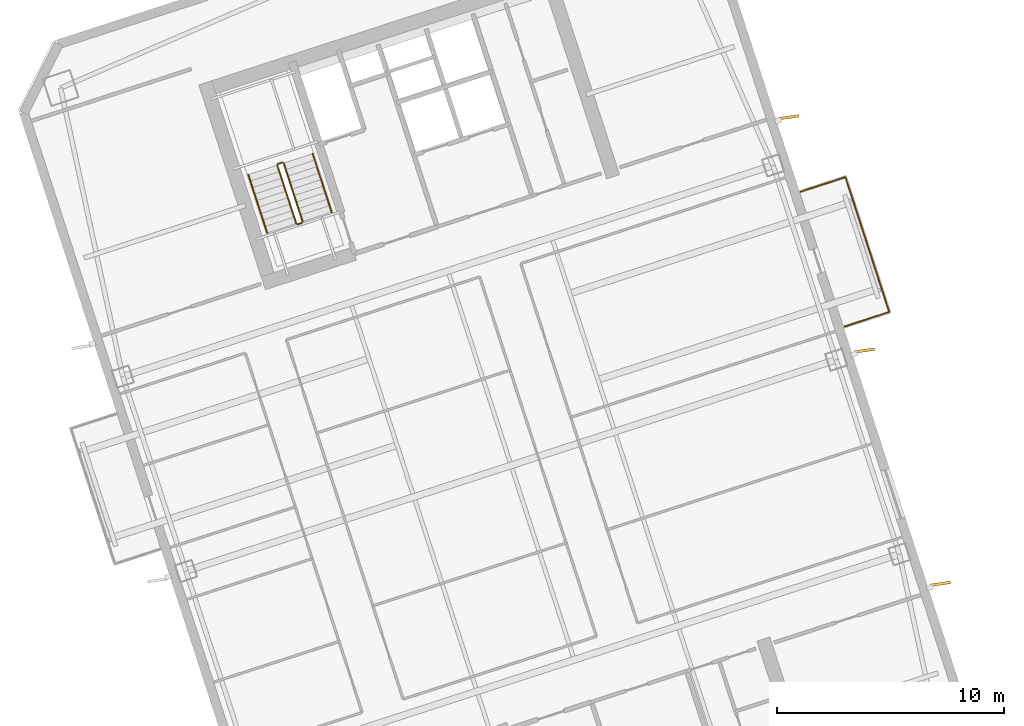
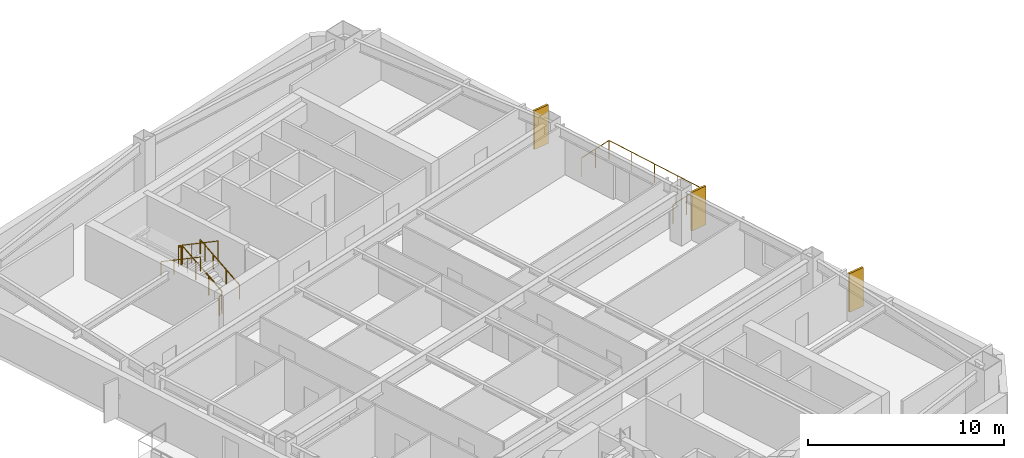
# One storey, part 17 of 17: 7 railings, 3 shading devices.
"""IFC4 building model written with IfcOpenShell, lengths in metres."""

from ifc_helpers import new_model, si_unit, direction, frame, origin, origin_2d, place, context, subcontext, project, spatial, rectangle, circle, extrude, material, layer, layer_set, type_object, element, save


model = new_model("IFC4")

# Units and contexts
model_context = context("Model", 3, precision=1e-05, world=origin(), true_north=direction((0.0, 1.0)))
body_context = subcontext(model_context, "Body", "Model", "MODEL_VIEW")
ifc_project = project(units=[si_unit("LENGTHUNIT", "METRE"), si_unit("AREAUNIT", "SQUARE_METRE"), si_unit("VOLUMEUNIT", "CUBIC_METRE"), si_unit("PLANEANGLEUNIT", "RADIAN"), si_unit("MASSUNIT", "GRAM", prefix="KILO")], contexts=[model_context])

# Site, building, storey
site_placement = place(None, origin())
site = spatial("IfcSite", under=ifc_project, at=site_placement, CompositionType="ELEMENT")
building_placement = place(site_placement, origin())
building = spatial("IfcBuilding", under=site, at=building_placement, Name="Qiaolan Cultural Towers", CompositionType="ELEMENT")
storey_placement = place(building_placement, frame((0.0, 0.0, 142.60009765625)))
storey = spatial("IfcBuildingStorey", under=building, at=storey_placement, Name="L37", CompositionType="ELEMENT", Elevation=142.60009765625)

# Railings
ifc_material_1 = material(Name="Laminated SentryGlas & Stainless Steel S31608 Balustrade", Category="steel")
railing_type_1 = type_object("IfcRailingType", Name="GRD-TERR-1200", PredefinedType="BALUSTRADE", material=ifc_material_1)
railing_1_placement = place(storey_placement, frame((104.6787109375, 40.115234375, 0.0)))
element("IfcRailing", 1, at=railing_1_placement, inside=storey, type_object=railing_type_1, Name="L37 T2 Tree Balcony Guardrail E", PredefinedType="BALUSTRADE", context=body_context, shape_type="SweptSolid", body=[
    extrude(circle(Radius=0.02392578125, at=origin_2d()), frame((0.0, 0.0, 1.17578125), z_axis=(0.951061799618, 0.309000733507, 0.0), x_axis=(-0.309000733507, 0.951061799618, 0.0)), (0.0, 0.0, 1.0), 2.070068359375),
    extrude(circle(Radius=0.02392578125, at=origin_2d()), frame((1.96875, 0.6396484375, 1.17578125), z_axis=(-0.30901175762, 0.951058217804, 0.0), x_axis=(-0.951058217804, -0.30901175762, 0.0)), (0.0, 0.0, 1.0), 6.239990234375),
    extrude(circle(Radius=0.02392578125, at=origin_2d()), frame((0.04052734375, 6.57421875, 1.17578125), z_axis=(-0.951061799618, -0.309000733507, 0.0), x_axis=(0.309000733507, -0.951061799618, 0.0)), (0.0, 0.0, 1.0), 2.070068359375),
    extrude(circle(Radius=0.02099609375, at=origin_2d()), origin(), (0.0, 0.0, 1.0), 1.15185546875),
    extrude(circle(Radius=0.02099609375, at=origin_2d()), frame((0.984375, 0.31982421875, 0.0)), (0.0, 0.0, 1.0), 1.15185546875),
    extrude(circle(Radius=0.02099609375, at=origin_2d()), frame((1.96875, 0.6396484375, 0.0)), (0.0, 0.0, 1.0), 1.15185546875),
    extrude(circle(Radius=0.02099609375, at=origin_2d()), frame((1.48681640625, 2.123291015625, 0.0)), (0.0, 0.0, 1.0), 1.15185546875),
    extrude(circle(Radius=0.02099609375, at=origin_2d()), frame((1.004638671875, 3.60693359375, 0.0)), (0.0, 0.0, 1.0), 1.15185546875),
    extrude(circle(Radius=0.02099609375, at=origin_2d()), frame((0.5224609375, 5.090576171875, 0.0)), (0.0, 0.0, 1.0), 1.15185546875),
    extrude(circle(Radius=0.02099609375, at=origin_2d()), frame((0.04052734375, 6.57421875, 0.0)), (0.0, 0.0, 1.0), 1.15185546875),
    extrude(circle(Radius=0.02099609375, at=origin_2d()), frame((-0.94384765625, 6.25439453125, 0.0)), (0.0, 0.0, 1.0), 1.15185546875),
    extrude(circle(Radius=0.02099609375, at=origin_2d()), frame((-1.92822265625, 5.9345703125, 0.0)), (0.0, 0.0, 1.0), 1.15185546875),
])
ifc_material_2 = material(Name="Galvanized Painted Steel Stair Guardrail", Category="steel")
railing_type_2 = type_object("IfcRailingType", Name="RL-STAIR-GRD", PredefinedType="GUARDRAIL", material=ifc_material_2)
railing_2_placement = place(storey_placement, frame((80.822021484375, 44.739501953125, 0.17236328125)))
element("IfcRailing", 2, at=railing_2_placement, inside=storey, type_object=railing_type_2, Name="L37 ST-E2 stair guard 1", PredefinedType="GUARDRAIL", context=body_context, shape_type="SweptSolid", body=[
    extrude(circle(Radius=0.02392578125, at=origin_2d()), frame((0.0, 0.0, 1.17578125), z_axis=(-0.26785290645, 0.824488402118, 0.498471358535), x_axis=(-0.951069945308, -0.308975661068, 0.0)), (0.0, 0.0, 1.0), 3.114501953125),
    extrude(circle(Radius=0.02099609375, at=origin_2d()), origin(), (0.0, 0.0, 1.0), 1.15185546875),
    extrude(circle(Radius=0.02099609375, at=origin_2d()), frame((-0.278076171875, 0.85595703125, 0.517578125)), (0.0, 0.0, 1.0), 1.15185546875),
    extrude(circle(Radius=0.02099609375, at=origin_2d()), frame((-0.55615234375, 1.7119140625, 1.034912109375)), (0.0, 0.0, 1.0), 1.15185546875),
    extrude(circle(Radius=0.02099609375, at=origin_2d()), frame((-0.834228515625, 2.56787109375, 1.552490234375)), (0.0, 0.0, 1.0), 1.15185546875),
])
railing_3_placement = place(storey_placement, frame((79.9248046875, 47.33935546875, 1.724853515625)))
element("IfcRailing", 3, at=railing_3_placement, inside=storey, type_object=railing_type_2, Name="L37 ST-E2 stair guard 2", PredefinedType="GUARDRAIL", context=body_context, shape_type="SweptSolid", body=[
    extrude(circle(Radius=0.02392578125, at=origin_2d()), frame((0.0, 0.0, 1.17578125), z_axis=(-0.951096855055, -0.308892816854, 0.0), x_axis=(0.308892816854, -0.951096855055, 0.0)), (0.0, 0.0, 1.0), 0.199951171875),
    extrude(circle(Radius=0.02099609375, at=origin_2d()), origin(), (0.0, 0.0, 1.0), 1.15185546875),
    extrude(circle(Radius=0.02099609375, at=origin_2d()), frame((-0.190185546875, -0.061767578125, 0.0)), (0.0, 0.0, 1.0), 1.15185546875),
])
railing_4_placement = place(storey_placement, frame((79.702392578125, 47.214599609375, 1.8974609375)))
element("IfcRailing", 4, at=railing_4_placement, inside=storey, type_object=railing_type_2, Name="L37 ST-E2 stair guard 3", PredefinedType="GUARDRAIL", context=body_context, shape_type="SweptSolid", body=[
    extrude(circle(Radius=0.02392578125, at=origin_2d()), frame((0.0, 0.0, 1.17578125), z_axis=(0.267925668498, -0.824471088726, 0.498460891159), x_axis=(0.951043371037, 0.309057448393, 0.0)), (0.0, 0.0, 1.0), 3.114501953125),
    extrude(circle(Radius=0.02099609375, at=origin_2d()), origin(), (0.0, 0.0, 1.0), 1.15185546875),
    extrude(circle(Radius=0.02099609375, at=origin_2d()), frame((0.278076171875, -0.85595703125, 0.517578125)), (0.0, 0.0, 1.0), 1.15185546875),
    extrude(circle(Radius=0.02099609375, at=origin_2d()), frame((0.556396484375, -1.7119140625, 1.034912109375)), (0.0, 0.0, 1.0), 1.15185546875),
    extrude(circle(Radius=0.02099609375, at=origin_2d()), frame((0.83447265625, -2.56787109375, 1.552490234375)), (0.0, 0.0, 1.0), 1.15185546875),
])
railing_5_placement = place(storey_placement, frame((80.7900390625, 44.676513671875, 0.0)))
element("IfcRailing", 5, at=railing_5_placement, inside=storey, type_object=railing_type_2, Name="L37 ST-E2 stair guard 4", PredefinedType="GUARDRAIL", context=body_context, shape_type="SweptSolid", body=[
    extrude(circle(Radius=0.02392578125, at=origin_2d()), frame((0.0, 0.0, 1.17578125), z_axis=(-0.951096855055, -0.308892816854, 0.0), x_axis=(0.308892816854, -0.951096855055, 0.0)), (0.0, 0.0, 1.0), 0.199951171875),
    extrude(circle(Radius=0.02099609375, at=origin_2d()), origin(), (0.0, 0.0, 1.0), 1.15185546875),
    extrude(circle(Radius=0.02099609375, at=origin_2d()), frame((-0.190185546875, -0.061767578125, 0.0)), (0.0, 0.0, 1.0), 1.15185546875),
])
ifc_material_3 = material(Name="Stainless Steel S30408 Tubular Handrail", Category="steel")
railing_type_3 = type_object("IfcRailingType", Name="RL-STAIR-HR", PredefinedType="HANDRAIL", material=ifc_material_3)
railing_6_placement = place(storey_placement, frame((82.096435546875, 45.153564453125, 0.17236328125)))
element("IfcRailing", 6, at=railing_6_placement, inside=storey, type_object=railing_type_3, Name="L37 ST-E2 stair handrail 1", PredefinedType="HANDRAIL", context=body_context, shape_type="SweptSolid", body=[
    extrude(circle(Radius=0.02392578125, at=origin_2d()), frame((0.0, 0.0, 0.8759765625), z_axis=(-0.26785290645, 0.824488402118, 0.498471358535), x_axis=(-0.951069945308, -0.308975661068, 0.0)), (0.0, 0.0, 1.0), 3.114501953125),
    extrude(circle(Radius=0.02099609375, at=origin_2d()), origin(), (0.0, 0.0, 1.0), 0.851806640625),
    extrude(circle(Radius=0.02099609375, at=origin_2d()), frame((-0.278076171875, 0.85595703125, 0.517578125)), (0.0, 0.0, 1.0), 0.851806640625),
    extrude(circle(Radius=0.02099609375, at=origin_2d()), frame((-0.55615234375, 1.7119140625, 1.034912109375)), (0.0, 0.0, 1.0), 0.851806640625),
    extrude(circle(Radius=0.02099609375, at=origin_2d()), frame((-0.834228515625, 2.56787109375, 1.552490234375)), (0.0, 0.0, 1.0), 0.851806640625),
])
railing_7_placement = place(storey_placement, frame((78.427978515625, 46.800537109375, 1.8974609375)))
element("IfcRailing", 7, at=railing_7_placement, inside=storey, type_object=railing_type_3, Name="L37 ST-E2 stair handrail 2", PredefinedType="HANDRAIL", context=body_context, shape_type="SweptSolid", body=[
    extrude(circle(Radius=0.02392578125, at=origin_2d()), frame((0.0, 0.0, 0.8759765625), z_axis=(0.267925668498, -0.824471088726, 0.498460891159), x_axis=(0.951043371037, 0.309057448393, 0.0)), (0.0, 0.0, 1.0), 3.114501953125),
    extrude(circle(Radius=0.02099609375, at=origin_2d()), origin(), (0.0, 0.0, 1.0), 0.851806640625),
    extrude(circle(Radius=0.02099609375, at=origin_2d()), frame((0.278076171875, -0.85595703125, 0.517578125)), (0.0, 0.0, 1.0), 0.851806640625),
    extrude(circle(Radius=0.02099609375, at=origin_2d()), frame((0.556396484375, -1.7119140625, 1.034912109375)), (0.0, 0.0, 1.0), 0.851806640625),
    extrude(circle(Radius=0.02099609375, at=origin_2d()), frame((0.83447265625, -2.56787109375, 1.552490234375)), (0.0, 0.0, 1.0), 0.851806640625),
])

# Shading devices
ifc_material_4 = material(Name="Pierced Warm Terracotta Acoustic Fin", Category="masonry")
ifc_layer = layer(ifc_material_4, 0.1201171875)
ifc_layer_set = layer_set([ifc_layer], Name="Pierced Warm Terracotta Acoustic Fin")
shading_device_type = type_object("IfcShadingDeviceType", Name="SHD-FIN-PIERCED", PredefinedType="USERDEFINED", material=ifc_layer_set)
for number, where, z_axis, x_axis, name in (
    (8, (108.896728515625, 28.7841796875, 0.10009765625), (0.0, 0.0, 1.0), (0.989378679734, 0.145361026717, 0.0), "L37 T2 Expressive Precast Vertical Fin E1"),
    (9, (105.559326171875, 39.055419921875, 0.10009765625), (0.0, 0.0, 1.0), (0.989378679734, 0.145361026717, 0.0), "L37 T2 Expressive Precast Vertical Fin E2"),
    (10, (102.221923828125, 49.326904296875, 0.10009765625), (0.0, 0.0, 1.0), (0.989378679734, 0.145361026717, 0.0), "L37 T2 Expressive Precast Vertical Fin E3"),
):
    element("IfcShadingDevice", number, at=place(storey_placement, frame(where, z_axis=z_axis, x_axis=x_axis)), inside=storey, type_object=shading_device_type, Name=name, ObjectType="FIN", PredefinedType="USERDEFINED", context=body_context, shape_type="SweptSolid", body=[
        extrude(rectangle(XDim=0.89990234375, YDim=0.1201171875, at=origin_2d()), origin(), (0.0, 0.0, 1.0), 2.409912109375),
    ])

save(model, "model.ifc")
